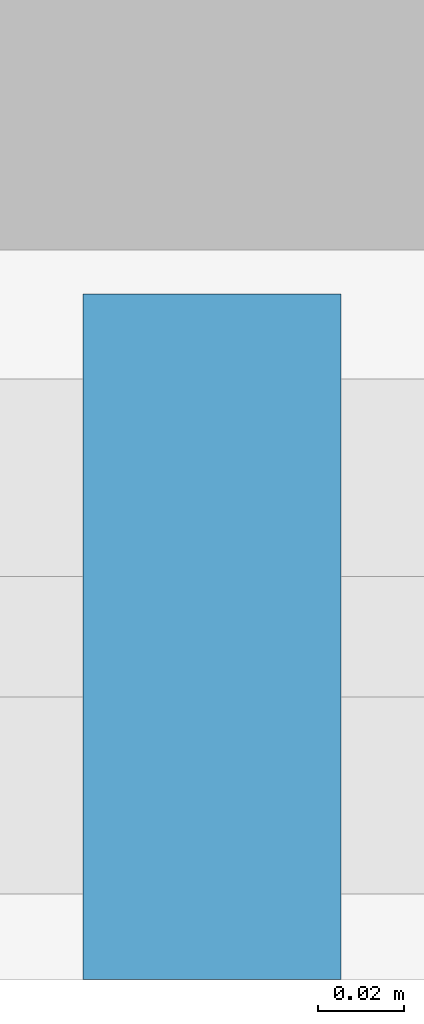
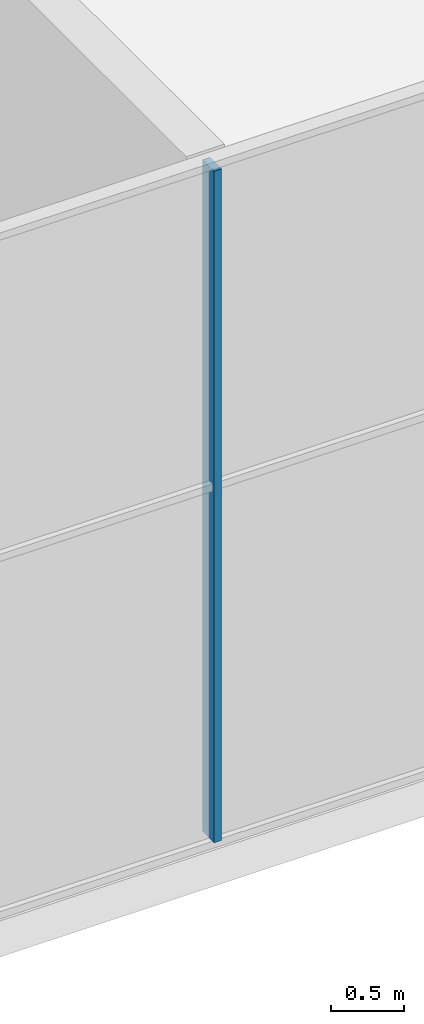
# One storey, part 4 of 21: 1 member, 1 element without a shape of its own.
"""IFC4 building model written with IfcOpenShell, lengths in metres."""

from ifc_helpers import new_model, si_unit, direction, frame, origin, origin_2d, place, context, subcontext, project, spatial, rectangle, extrude, material, material_profile, profile_set, type_object, element, aggregate, save


model = new_model("IFC4")

# Units and contexts
model_context = context("Model", 3, precision=1e-05, world=origin(), true_north=direction((0.0, 1.0)))
body_context = subcontext(model_context, "Body", "Model", "MODEL_VIEW")
ifc_project = project(units=[si_unit("LENGTHUNIT", "METRE"), si_unit("AREAUNIT", "SQUARE_METRE"), si_unit("VOLUMEUNIT", "CUBIC_METRE"), si_unit("PLANEANGLEUNIT", "RADIAN"), si_unit("MASSUNIT", "GRAM", prefix="KILO")], contexts=[model_context])

# Site, building, storey
site_placement = place(None, origin())
site = spatial("IfcSite", under=ifc_project, at=site_placement, CompositionType="ELEMENT")
building_placement = place(site_placement, origin())
building = spatial("IfcBuilding", under=site, at=building_placement, Name="Ogive Portal Towers", CompositionType="ELEMENT")
storey_placement = place(building_placement, frame((0.0, 0.0, 266.89990234375)))
storey = spatial("IfcBuildingStorey", under=building, at=storey_placement, Name="L65", CompositionType="ELEMENT", Elevation=266.89990234375)

# Curtain wall, member
ifc_material_1 = material(Name="Glass, clear low-iron insulated glazing", Category="glass")
curtain_wall_type = type_object("IfcCurtainWallType", Name="CW OBSERVATION WALL", PredefinedType="NOTDEFINED", material=ifc_material_1)
curtain_wall_placement = place(storey_placement, origin())
curtain_wall = element("IfcCurtainWall", 1, at=curtain_wall_placement, inside=storey, type_object=curtain_wall_type, Name="A:L65:f05:cw0", PredefinedType="NOTDEFINED")
ifc_material_2 = material(Name="Aluminium 6063 anodised", Category="aluminium")
ifc_material_profile = material_profile(ifc_material_2, rectangle(XDim=0.159912109375, YDim=0.06005859375, at=origin_2d()), Name="AL 60x160")
ifc_profile_set = profile_set([ifc_material_profile], Name="Aluminium 6063 anodised")
member_type = type_object("IfcMemberType", Name="CW MULLION 60x160", PredefinedType="MULLION", material=ifc_profile_set)
member_placement = place(storey_placement, frame((63.0, 20.47998046875, 0.06005859375), z_axis=(0.0, 0.0, 1.0), x_axis=(0.0, 1.0, 0.0)))
member = element("IfcMember", 2, at=member_placement, type_object=member_type, Name="mullion", PredefinedType="MULLION", context=body_context, shape_type="SweptSolid", body=[
    extrude(rectangle(XDim=0.159912109375, YDim=0.06005859375, at=origin_2d()), origin(), (0.0, 0.0, 1.0), 5.580078125),
])
aggregate(curtain_wall, [member])

save(model, "model.ifc")
